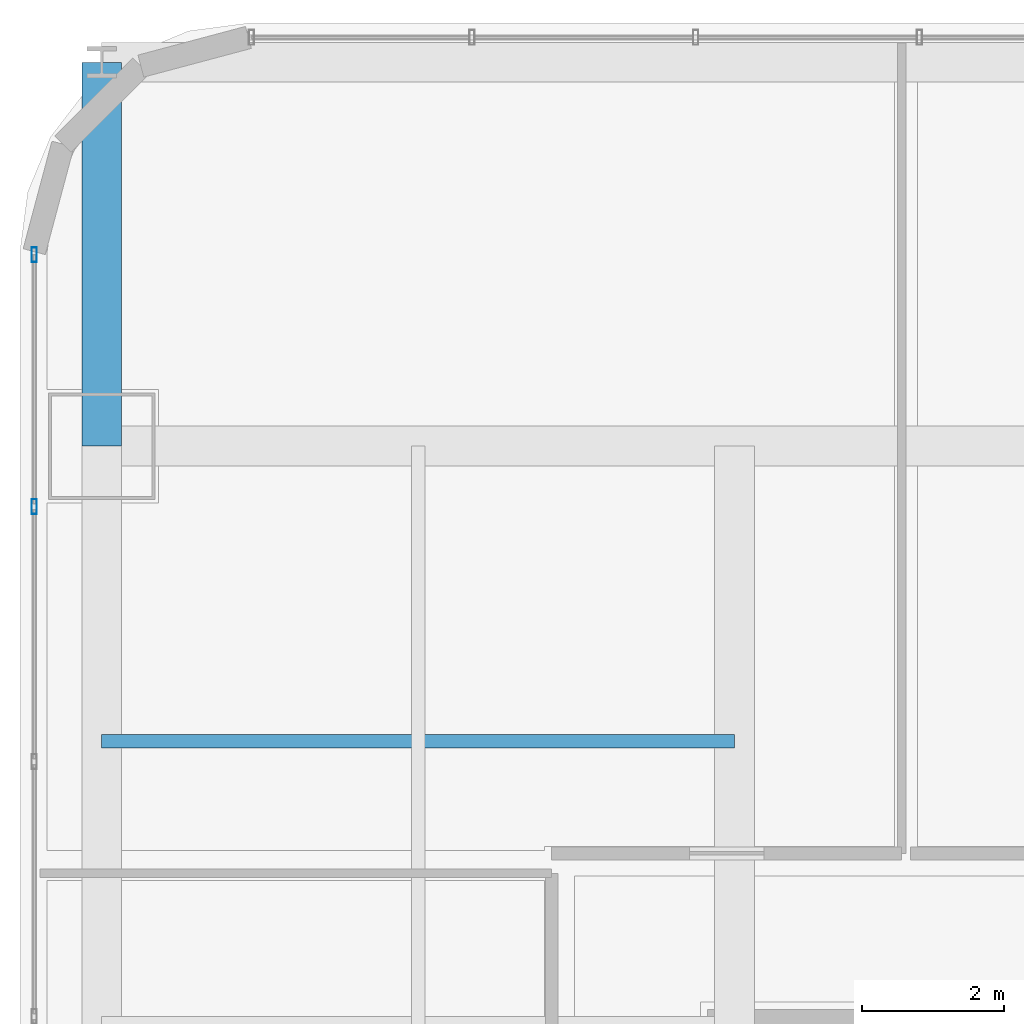
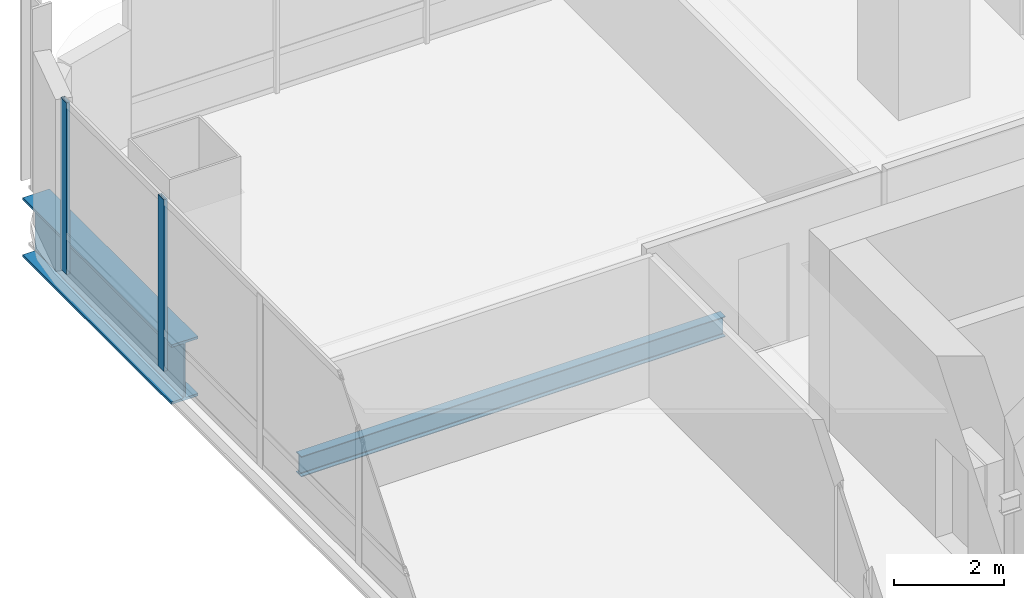
# One storey, part 18 of 37: 2 beams, 2 members, 1 element without a shape of its own.
"""IFC4 building model written with IfcOpenShell, lengths in metres."""

from ifc_helpers import new_model, si_unit, direction, frame, origin, origin_2d, place, context, subcontext, project, spatial, hollow_rectangle, i_section, extrude, material, material_profile, profile_set, type_object, element, aggregate, save


model = new_model("IFC4")

# Units and contexts
model_context = context("Model", 3, precision=1e-05, world=origin(), true_north=direction((0.0, 1.0)))
body_context = subcontext(model_context, "Body", "Model", "MODEL_VIEW")
ifc_project = project(units=[si_unit("LENGTHUNIT", "METRE"), si_unit("AREAUNIT", "SQUARE_METRE"), si_unit("VOLUMEUNIT", "CUBIC_METRE"), si_unit("PLANEANGLEUNIT", "RADIAN"), si_unit("MASSUNIT", "GRAM", prefix="KILO")], contexts=[model_context])

# Site, building, storey
site_placement = place(None, origin())
site = spatial("IfcSite", under=ifc_project, at=site_placement, CompositionType="ELEMENT")
building_placement = place(site_placement, origin())
building = spatial("IfcBuilding", under=site, at=building_placement, Name="Punatoya Terracotta Tower", CompositionType="ELEMENT")
storey_placement = place(building_placement, frame((0.0, 0.0, 109.199951171875)))
storey = spatial("IfcBuildingStorey", under=building, at=storey_placement, Name="L25", CompositionType="ELEMENT", Elevation=109.199951171875)

# Beams
ifc_material_1 = material(Name="Steel S355", Category="steel")
ifc_material_profile_1 = material_profile(ifc_material_1, i_section(OverallWidth=0.18994140625, OverallDepth=0.449951171875, WebThickness=0.009521484375, FlangeThickness=0.0146484375, FilletRadius=0.01806640625, at=origin_2d()))
ifc_profile_set_1 = profile_set([ifc_material_profile_1], Name="Steel S355")
beam_type_1 = type_object("IfcBeamType", Name="BM-SEC-450", PredefinedType="JOIST", material=ifc_profile_set_1)
beam_1_placement = place(storey_placement, frame((-19.10009765625, 13.35009765625, -0.46484375), z_axis=(1.0, 0.0, 0.0), x_axis=(0.0, 1.0, 0.0)))
element("IfcBeam", 1, at=beam_1_placement, inside=storey, type_object=beam_type_1, Name="BM-L25-SJN-1", PredefinedType="JOIST", context=body_context, shape_type="SweptSolid", body=[
    extrude(i_section(OverallWidth=0.18994140625, OverallDepth=0.449951171875, WebThickness=0.009521484375, FlangeThickness=0.0146484375, FilletRadius=0.01806640625, at=origin_2d()), origin(), (0.0, 0.0, 1.0), 8.900146484375),
])
ifc_material_2 = material(Name="Steel S460", Category="steel")
ifc_material_profile_2 = material_profile(ifc_material_2, i_section(OverallWidth=0.56005859375, OverallDepth=1.320068359375, WebThickness=0.035888671875, FlangeThickness=0.054931640625, FilletRadius=0.01806640625, at=origin_2d()))
ifc_profile_set_2 = profile_set([ifc_material_profile_2], Name="Steel S460")
beam_type_2 = type_object("IfcBeamType", Name="BM-TG-BLK", PredefinedType="BEAM", material=ifc_profile_set_2)
beam_2_placement = place(storey_placement, frame((-19.10009765625, 17.5, -0.89990234375), z_axis=(0.0, 1.0, 0.0), x_axis=(-1.0, 0.0, 0.0)))
element("IfcBeam", 2, at=beam_2_placement, inside=storey, type_object=beam_type_2, Name="BM-L25-CANT-N1", PredefinedType="BEAM", context=body_context, shape_type="SweptSolid", body=[
    extrude(i_section(OverallWidth=0.56005859375, OverallDepth=1.320068359375, WebThickness=0.035888671875, FlangeThickness=0.054931640625, FilletRadius=0.01806640625, at=origin_2d()), origin(), (0.0, 0.0, 1.0), 5.39990234375),
])

# Curtain wall, members
ifc_material_3 = material(Name="Aluminium 6063-T6 + Double Low-E Glass", Category="aluminium")
curtain_wall_type = type_object("IfcCurtainWallType", Name="CW-M1", PredefinedType="NOTDEFINED", material=ifc_material_3)
curtain_wall_placement = place(storey_placement, origin())
curtain_wall = element("IfcCurtainWall", 3, at=curtain_wall_placement, inside=storey, type_object=curtain_wall_type, Name="L25 Curtain Wall CW-L25-W12-1", PredefinedType="NOTDEFINED")
ifc_material_4 = material(Name="Aluminium 6063-T6", Category="aluminium")
ifc_material_profile_3 = material_profile(ifc_material_4, hollow_rectangle(XDim=0.074951171875, YDim=0.2099609375, WallThickness=0.00439453125, at=origin_2d()))
ifc_profile_set_3 = profile_set([ifc_material_profile_3], Name="Aluminium 6063-T6")
member_type = type_object("IfcMemberType", Name="CW-MUL-M1", PredefinedType="MULLION", material=ifc_profile_set_3)
member_1_placement = place(storey_placement, frame((-20.050048828125, 20.19189453125, 0.0), z_axis=(0.0, 0.0, 1.0), x_axis=(1.0, 0.0, 0.0)))
member_1 = element("IfcMember", 4, at=member_1_placement, type_object=member_type, Name="CW-L25-W12-1 Mullion 00", PredefinedType="MULLION", context=body_context, shape_type="SweptSolid", body=[
    extrude(hollow_rectangle(XDim=0.074951171875, YDim=0.2099609375, WallThickness=0.00439453125, at=origin_2d()), origin(), (0.0, 0.0, 1.0), 3.81005859375),
])
member_2_placement = place(storey_placement, frame((-20.050048828125, 16.6494140625, 0.0), z_axis=(0.0, 0.0, 1.0), x_axis=(1.0, 0.0, 0.0)))
member_2 = element("IfcMember", 5, at=member_2_placement, type_object=member_type, Name="CW-L25-W12-1 Mullion 01", PredefinedType="MULLION", context=body_context, shape_type="SweptSolid", body=[
    extrude(hollow_rectangle(XDim=0.074951171875, YDim=0.2099609375, WallThickness=0.00439453125, at=origin_2d()), origin(), (0.0, 0.0, 1.0), 3.81005859375),
])
aggregate(curtain_wall, [member_1, member_2])

save(model, "model.ifc")
